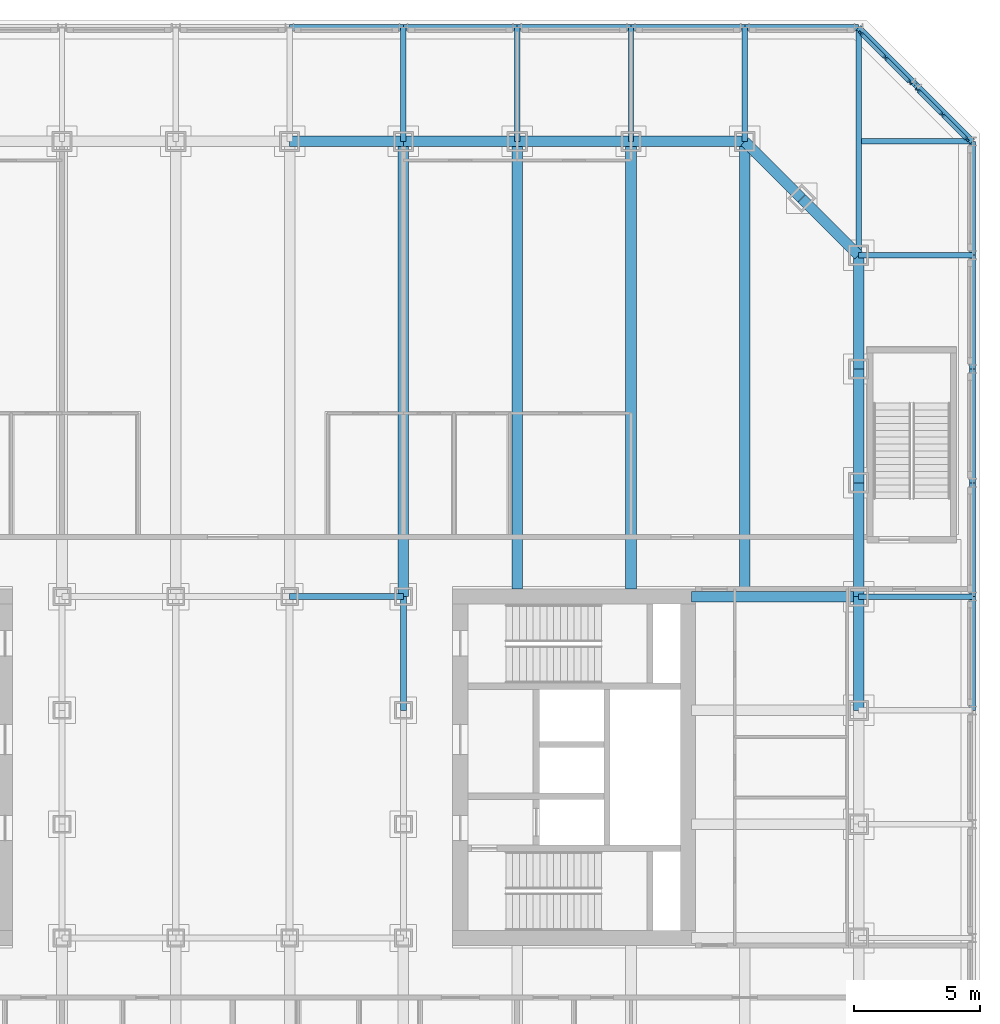
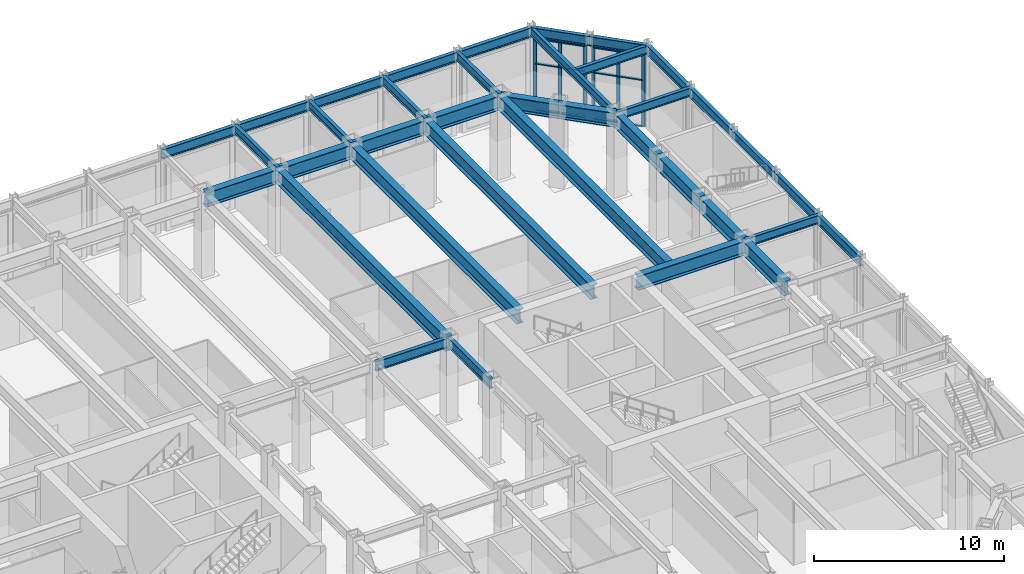
# One storey, part 8 of 19: 37 beams, 18 members, 2 elements without a shape of their own.
"""IFC4 building model written with IfcOpenShell, lengths in metres."""

from ifc_helpers import new_model, si_unit, direction, frame, origin, origin_2d, place, context, subcontext, project, spatial, rectangle, i_section, extrude, material, material_profile, profile_set, type_object, element, aggregate, save


model = new_model("IFC4")

# Units and contexts
model_context = context("Model", 3, precision=1e-05, world=origin(), true_north=direction((0.0, 1.0)))
body_context = subcontext(model_context, "Body", "Model", "MODEL_VIEW")
ifc_project = project(units=[si_unit("LENGTHUNIT", "METRE"), si_unit("AREAUNIT", "SQUARE_METRE"), si_unit("VOLUMEUNIT", "CUBIC_METRE"), si_unit("PLANEANGLEUNIT", "RADIAN"), si_unit("MASSUNIT", "GRAM", prefix="KILO")], contexts=[model_context])

# Site, building, storey
site_placement = place(None, origin())
site = spatial("IfcSite", under=ifc_project, at=site_placement, CompositionType="ELEMENT")
building_placement = place(site_placement, origin())
building = spatial("IfcBuilding", under=site, at=building_placement, Name="Msasa Ring Tower", CompositionType="ELEMENT")
storey_placement = place(building_placement, frame((0.0, 0.0, 16.0)))
storey = spatial("IfcBuildingStorey", under=building, at=storey_placement, Name="L03", CompositionType="ELEMENT", Elevation=16.0)

# Curtain wall, members
ifc_material_1 = material(Name="Aluminium curtain wall with clear glass", Category="aluminium")
curtain_wall_type = type_object("IfcCurtainWallType", Name="CW-K PODIUM CORNER CURTAIN WALL", PredefinedType="NOTDEFINED", material=ifc_material_1)
curtain_wall_1_placement = place(storey_placement, origin())
curtain_wall_1 = element("IfcCurtainWall", 1, at=curtain_wall_1_placement, inside=storey, type_object=curtain_wall_type, Name="Podium corner curtain wall NE L03", PredefinedType="NOTDEFINED")
ifc_material_2 = material(Name="Aluminium mullion", Category="aluminium")
ifc_material_profile_1 = material_profile(ifc_material_2, rectangle(XDim=0.070068359375, YDim=0.199951171875, at=origin_2d()), Name="AL 70x200")
ifc_profile_set_1 = profile_set([ifc_material_profile_1], Name="Aluminium mullion")
member_type_1 = type_object("IfcMemberType", Name="CW-K MULLION 70x200", PredefinedType="MULLION", material=ifc_profile_set_1)
member_1_placement = place(storey_placement, frame((26.77197265625, 27.086669921875, 0.0), z_axis=(0.0, 0.0, 1.0), x_axis=(-0.707106781187, -0.707106781187, 0.0)))
member_1 = element("IfcMember", 2, at=member_1_placement, type_object=member_type_1, Name="CW-K mullion 1", PredefinedType="MULLION", context=body_context, shape_type="SweptSolid", body=[
    extrude(rectangle(XDim=0.070068359375, YDim=0.199951171875, at=origin_2d()), origin(), (0.0, 0.0, 1.0), 4.6328125),
])
member_2_placement = place(storey_placement, frame((25.80419921875, 28.05419921875, 0.0), z_axis=(0.0, 0.0, 1.0), x_axis=(-0.707106781187, -0.707106781187, 0.0)))
member_2 = element("IfcMember", 3, at=member_2_placement, type_object=member_type_1, Name="CW-K mullion 2", PredefinedType="MULLION", context=body_context, shape_type="SweptSolid", body=[
    extrude(rectangle(XDim=0.070068359375, YDim=0.199951171875, at=origin_2d()), origin(), (0.0, 0.0, 1.0), 4.6328125),
])
member_3_placement = place(storey_placement, frame((24.836669921875, 29.02197265625, 0.0), z_axis=(0.0, 0.0, 1.0), x_axis=(-0.707106781187, -0.707106781187, 0.0)))
member_3 = element("IfcMember", 4, at=member_3_placement, type_object=member_type_1, Name="CW-K mullion 3", PredefinedType="MULLION", context=body_context, shape_type="SweptSolid", body=[
    extrude(rectangle(XDim=0.070068359375, YDim=0.199951171875, at=origin_2d()), origin(), (0.0, 0.0, 1.0), 4.6328125),
])

curtain_wall_2_placement = place(storey_placement, origin())
curtain_wall_2 = element("IfcCurtainWall", 5, at=curtain_wall_2_placement, inside=storey, type_object=curtain_wall_type, Name="Podium corner curtain wall NE L03", PredefinedType="NOTDEFINED")
member_4_placement = place(storey_placement, frame((29.02197265625, 24.836669921875, 0.0), z_axis=(0.0, 0.0, 1.0), x_axis=(-0.707106781187, -0.707106781187, 0.0)))
member_4 = element("IfcMember", 6, at=member_4_placement, type_object=member_type_1, Name="CW-K mullion 1", PredefinedType="MULLION", context=body_context, shape_type="SweptSolid", body=[
    extrude(rectangle(XDim=0.070068359375, YDim=0.199951171875, at=origin_2d()), origin(), (0.0, 0.0, 1.0), 4.6328125),
])
member_5_placement = place(storey_placement, frame((28.05419921875, 25.80419921875, 0.0), z_axis=(0.0, 0.0, 1.0), x_axis=(-0.707106781187, -0.707106781187, 0.0)))
member_5 = element("IfcMember", 7, at=member_5_placement, type_object=member_type_1, Name="CW-K mullion 2", PredefinedType="MULLION", context=body_context, shape_type="SweptSolid", body=[
    extrude(rectangle(XDim=0.070068359375, YDim=0.199951171875, at=origin_2d()), origin(), (0.0, 0.0, 1.0), 4.6328125),
])
member_6_placement = place(storey_placement, frame((27.086669921875, 26.77197265625, 0.0), z_axis=(0.0, 0.0, 1.0), x_axis=(-0.707106781187, -0.707106781187, 0.0)))
member_6 = element("IfcMember", 8, at=member_6_placement, type_object=member_type_1, Name="CW-K mullion 3", PredefinedType="MULLION", context=body_context, shape_type="SweptSolid", body=[
    extrude(rectangle(XDim=0.070068359375, YDim=0.199951171875, at=origin_2d()), origin(), (0.0, 0.0, 1.0), 4.6328125),
])

# Member
ifc_material_3 = material(Name="Aluminium transom", Category="aluminium")
ifc_material_profile_2 = material_profile(ifc_material_3, rectangle(XDim=0.14990234375, YDim=0.070068359375, at=origin_2d()), Name="AL 70x150")
ifc_profile_set_2 = profile_set([ifc_material_profile_2], Name="Aluminium transom")
member_type_2 = type_object("IfcMemberType", Name="CW-K TRANSOM 70x150", PredefinedType="USERDEFINED", material=ifc_profile_set_2)
member_7_placement = place(storey_placement, frame((26.7470703125, 27.111572265625, 0.034912109375), z_axis=(-0.707106781187, 0.707106781187, 0.0), x_axis=(-0.707106781187, -0.707106781187, 0.0)))
member_7 = element("IfcMember", 9, at=member_7_placement, type_object=member_type_2, Name="CW-K transom 1.1", ObjectType="TRANSOM", PredefinedType="USERDEFINED", context=body_context, shape_type="SweptSolid", body=[
    extrude(rectangle(XDim=0.14990234375, YDim=0.070068359375, at=origin_2d()), origin(), (0.0, 0.0, 1.0), 1.298095703125),
])

member_8_placement = place(storey_placement, frame((26.7470703125, 27.111572265625, 3.0), z_axis=(-0.707106781187, 0.707106781187, 0.0), x_axis=(-0.707106781187, -0.707106781187, 0.0)))
member_8 = element("IfcMember", 10, at=member_8_placement, type_object=member_type_2, Name="CW-K transom 1.2", ObjectType="TRANSOM", PredefinedType="USERDEFINED", context=body_context, shape_type="SweptSolid", body=[
    extrude(rectangle(XDim=0.14990234375, YDim=0.070068359375, at=origin_2d()), origin(), (0.0, 0.0, 1.0), 1.298095703125),
])

member_9_placement = place(storey_placement, frame((26.7470703125, 27.111572265625, 4.597900390625), z_axis=(-0.707106781187, 0.707106781187, 0.0), x_axis=(-0.707106781187, -0.707106781187, 0.0)))
member_9 = element("IfcMember", 11, at=member_9_placement, type_object=member_type_2, Name="CW-K transom 1.3", ObjectType="TRANSOM", PredefinedType="USERDEFINED", context=body_context, shape_type="SweptSolid", body=[
    extrude(rectangle(XDim=0.14990234375, YDim=0.070068359375, at=origin_2d()), origin(), (0.0, 0.0, 1.0), 1.298095703125),
])

member_10_placement = place(storey_placement, frame((25.779541015625, 28.0791015625, 0.034912109375), z_axis=(-0.707106781187, 0.707106781187, 0.0), x_axis=(-0.707106781187, -0.707106781187, 0.0)))
member_10 = element("IfcMember", 12, at=member_10_placement, type_object=member_type_2, Name="CW-K transom 2.1", ObjectType="TRANSOM", PredefinedType="USERDEFINED", context=body_context, shape_type="SweptSolid", body=[
    extrude(rectangle(XDim=0.14990234375, YDim=0.070068359375, at=origin_2d()), origin(), (0.0, 0.0, 1.0), 1.298095703125),
])

member_11_placement = place(storey_placement, frame((25.779541015625, 28.0791015625, 3.0), z_axis=(-0.707106781187, 0.707106781187, 0.0), x_axis=(-0.707106781187, -0.707106781187, 0.0)))
member_11 = element("IfcMember", 13, at=member_11_placement, type_object=member_type_2, Name="CW-K transom 2.2", ObjectType="TRANSOM", PredefinedType="USERDEFINED", context=body_context, shape_type="SweptSolid", body=[
    extrude(rectangle(XDim=0.14990234375, YDim=0.070068359375, at=origin_2d()), origin(), (0.0, 0.0, 1.0), 1.298095703125),
])

member_12_placement = place(storey_placement, frame((25.779541015625, 28.0791015625, 4.597900390625), z_axis=(-0.707106781187, 0.707106781187, 0.0), x_axis=(-0.707106781187, -0.707106781187, 0.0)))
member_12 = element("IfcMember", 14, at=member_12_placement, type_object=member_type_2, Name="CW-K transom 2.3", ObjectType="TRANSOM", PredefinedType="USERDEFINED", context=body_context, shape_type="SweptSolid", body=[
    extrude(rectangle(XDim=0.14990234375, YDim=0.070068359375, at=origin_2d()), origin(), (0.0, 0.0, 1.0), 1.298095703125),
])

aggregate(curtain_wall_1, [member_1, member_2, member_3, member_7, member_8, member_9, member_10, member_11, member_12])

member_13_placement = place(storey_placement, frame((28.9970703125, 24.861572265625, 0.034912109375), z_axis=(-0.707106781187, 0.707106781187, 0.0), x_axis=(-0.707106781187, -0.707106781187, 0.0)))
member_13 = element("IfcMember", 15, at=member_13_placement, type_object=member_type_2, Name="CW-K transom 1.1", ObjectType="TRANSOM", PredefinedType="USERDEFINED", context=body_context, shape_type="SweptSolid", body=[
    extrude(rectangle(XDim=0.14990234375, YDim=0.070068359375, at=origin_2d()), origin(), (0.0, 0.0, 1.0), 1.298095703125),
])

member_14_placement = place(storey_placement, frame((28.9970703125, 24.861572265625, 3.0), z_axis=(-0.707106781187, 0.707106781187, 0.0), x_axis=(-0.707106781187, -0.707106781187, 0.0)))
member_14 = element("IfcMember", 16, at=member_14_placement, type_object=member_type_2, Name="CW-K transom 1.2", ObjectType="TRANSOM", PredefinedType="USERDEFINED", context=body_context, shape_type="SweptSolid", body=[
    extrude(rectangle(XDim=0.14990234375, YDim=0.070068359375, at=origin_2d()), origin(), (0.0, 0.0, 1.0), 1.298095703125),
])

member_15_placement = place(storey_placement, frame((28.9970703125, 24.861572265625, 4.597900390625), z_axis=(-0.707106781187, 0.707106781187, 0.0), x_axis=(-0.707106781187, -0.707106781187, 0.0)))
member_15 = element("IfcMember", 17, at=member_15_placement, type_object=member_type_2, Name="CW-K transom 1.3", ObjectType="TRANSOM", PredefinedType="USERDEFINED", context=body_context, shape_type="SweptSolid", body=[
    extrude(rectangle(XDim=0.14990234375, YDim=0.070068359375, at=origin_2d()), origin(), (0.0, 0.0, 1.0), 1.298095703125),
])

member_16_placement = place(storey_placement, frame((28.029541015625, 25.8291015625, 0.034912109375), z_axis=(-0.707106781187, 0.707106781187, 0.0), x_axis=(-0.707106781187, -0.707106781187, 0.0)))
member_16 = element("IfcMember", 18, at=member_16_placement, type_object=member_type_2, Name="CW-K transom 2.1", ObjectType="TRANSOM", PredefinedType="USERDEFINED", context=body_context, shape_type="SweptSolid", body=[
    extrude(rectangle(XDim=0.14990234375, YDim=0.070068359375, at=origin_2d()), origin(), (0.0, 0.0, 1.0), 1.298095703125),
])

member_17_placement = place(storey_placement, frame((28.029541015625, 25.8291015625, 3.0), z_axis=(-0.707106781187, 0.707106781187, 0.0), x_axis=(-0.707106781187, -0.707106781187, 0.0)))
member_17 = element("IfcMember", 19, at=member_17_placement, type_object=member_type_2, Name="CW-K transom 2.2", ObjectType="TRANSOM", PredefinedType="USERDEFINED", context=body_context, shape_type="SweptSolid", body=[
    extrude(rectangle(XDim=0.14990234375, YDim=0.070068359375, at=origin_2d()), origin(), (0.0, 0.0, 1.0), 1.298095703125),
])

member_18_placement = place(storey_placement, frame((28.029541015625, 25.8291015625, 4.597900390625), z_axis=(-0.707106781187, 0.707106781187, 0.0), x_axis=(-0.707106781187, -0.707106781187, 0.0)))
member_18 = element("IfcMember", 20, at=member_18_placement, type_object=member_type_2, Name="CW-K transom 2.3", ObjectType="TRANSOM", PredefinedType="USERDEFINED", context=body_context, shape_type="SweptSolid", body=[
    extrude(rectangle(XDim=0.14990234375, YDim=0.070068359375, at=origin_2d()), origin(), (0.0, 0.0, 1.0), 1.298095703125),
])

aggregate(curtain_wall_2, [member_4, member_5, member_6, member_13, member_14, member_15, member_16, member_17, member_18])

# Beams
ifc_material_4 = material(Name="Steel S355", Category="steel")
ifc_material_profile_3 = material_profile(ifc_material_4, i_section(OverallWidth=0.41845703125, OverallDepth=0.911865234375, WebThickness=0.019287109375, FlangeThickness=0.031982421875, FilletRadius=0.024169921875, at=origin_2d()), Name="UB 914x419x343")
ifc_profile_set_3 = profile_set([ifc_material_profile_3], Name="Steel S355")
beam_type_1 = type_object("IfcBeamType", Name="FB1 UB 914x419x343", PredefinedType="BEAM", material=ifc_profile_set_3)
beam_1_placement = place(storey_placement, frame((6.75, 24.75, 4.794189453125), z_axis=(0.0, -1.0, 0.0), x_axis=(1.0, 0.0, 0.0)))
element("IfcBeam", 21, at=beam_1_placement, inside=storey, type_object=beam_type_1, Name="Floor beam N+6.75 under L04", PredefinedType="BEAM", context=body_context, shape_type="SweptSolid", body=[
    extrude(i_section(OverallWidth=0.41845703125, OverallDepth=0.911865234375, WebThickness=0.019287109375, FlangeThickness=0.031982421875, FilletRadius=0.024169921875, at=origin_2d()), origin(), (0.0, 0.0, 1.0), 18.0),
])
for number, where, z_axis, x_axis, name in (
    (22, (11.25, 24.75, 4.794189453125), (0.0, -1.0, 0.0), (1.0, 0.0, 0.0), "Floor beam N+11.25 under L04"),
    (23, (15.75, 24.75, 4.794189453125), (0.0, -1.0, 0.0), (1.0, 0.0, 0.0), "Floor beam N+15.75 under L04"),
):
    element("IfcBeam", number, at=place(storey_placement, frame(where, z_axis=z_axis, x_axis=x_axis)), inside=storey, type_object=beam_type_1, Name=name, PredefinedType="BEAM", context=body_context, shape_type="SweptSolid", body=[
        extrude(i_section(OverallWidth=0.41845703125, OverallDepth=0.911865234375, WebThickness=0.019287109375, FlangeThickness=0.031982421875, FilletRadius=0.024169921875, at=origin_2d()), origin(), (0.0, 0.0, 1.0), 17.699951171875),
    ])
beam_2_placement = place(storey_placement, frame((20.25, 24.75, 4.794189453125), z_axis=(0.0, -1.0, 0.0), x_axis=(1.0, 0.0, 0.0)))
element("IfcBeam", 24, at=beam_2_placement, inside=storey, type_object=beam_type_1, Name="Floor beam N+20.25 under L04", PredefinedType="BEAM", context=body_context, shape_type="SweptSolid", body=[
    extrude(i_section(OverallWidth=0.41845703125, OverallDepth=0.911865234375, WebThickness=0.019287109375, FlangeThickness=0.031982421875, FilletRadius=0.024169921875, at=origin_2d()), origin(), (0.0, 0.0, 1.0), 17.789794921875),
])
ifc_material_5 = material(Name="Steel S355", Category="steel")
ifc_material_profile_4 = material_profile(ifc_material_5, i_section(OverallWidth=0.42041015625, OverallDepth=0.9208984375, WebThickness=0.021484375, FlangeThickness=0.03662109375, FilletRadius=0.024169921875, at=origin_2d()), Name="UB 914x419x388")
ifc_profile_set_4 = profile_set([ifc_material_profile_4], Name="Steel S355")
beam_type_2 = type_object("IfcBeamType", Name="GB1 UB 914x419x388", PredefinedType="BEAM", material=ifc_profile_set_4)
beam_3_placement = place(storey_placement, frame((18.14990234375, 6.75, 4.78955078125), z_axis=(1.0, 0.0, 0.0), x_axis=(0.0, 1.0, 0.0)))
element("IfcBeam", 25, at=beam_3_placement, inside=storey, type_object=beam_type_2, Name="Girder E +6.75 under L04", PredefinedType="BEAM", context=body_context, shape_type="SweptSolid", body=[
    extrude(i_section(OverallWidth=0.42041015625, OverallDepth=0.9208984375, WebThickness=0.021484375, FlangeThickness=0.03662109375, FilletRadius=0.024169921875, at=origin_2d()), origin(), (0.0, 0.0, 1.0), 6.60009765625),
])
ifc_material_6 = material(Name="Steel S355", Category="steel")
ifc_material_profile_5 = material_profile(ifc_material_6, i_section(OverallWidth=0.2119140625, OverallDepth=0.54443359375, WebThickness=0.0126953125, FlangeThickness=0.021240234375, FilletRadius=0.0126953125, at=origin_2d()), Name="UB 533x210x122")
ifc_profile_set_5 = profile_set([ifc_material_profile_5], Name="Steel S355")
beam_type_3 = type_object("IfcBeamType", Name="PB1 UB 533x210x122", PredefinedType="BEAM", material=ifc_profile_set_5)
for number, where, z_axis, x_axis, name in (
    (26, (6.75, 29.25, 4.977783203125), (0.0, -1.0, 0.0), (1.0, 0.0, 0.0), "Podium beam N+6.75 under L04"),
    (27, (29.25, 6.75, 4.977783203125), (-1.0, 0.0, 0.0), (0.0, -1.0, 0.0), "Podium beam E+6.75 under L04"),
    (28, (11.25, 29.25, 4.977783203125), (0.0, -1.0, 0.0), (1.0, 0.0, 0.0), "Podium beam N+11.25 under L04"),
    (29, (15.75, 29.25, 4.977783203125), (0.0, -1.0, 0.0), (1.0, 0.0, 0.0), "Podium beam N+15.75 under L04"),
    (30, (20.25, 29.25, 4.977783203125), (0.0, -1.0, 0.0), (1.0, 0.0, 0.0), "Podium beam N+20.25 under L04"),
    (31, (29.25, 20.25, 4.977783203125), (-1.0, 0.0, 0.0), (0.0, -1.0, 0.0), "Podium beam E+20.25 under L04"),
):
    element("IfcBeam", number, at=place(storey_placement, frame(where, z_axis=z_axis, x_axis=x_axis)), inside=storey, type_object=beam_type_3, Name=name, PredefinedType="BEAM", context=body_context, shape_type="SweptSolid", body=[
        extrude(i_section(OverallWidth=0.2119140625, OverallDepth=0.54443359375, WebThickness=0.0126953125, FlangeThickness=0.021240234375, FilletRadius=0.0126953125, at=origin_2d()), origin(), (0.0, 0.0, 1.0), 4.5),
    ])
beam_4_placement = place(storey_placement, frame((24.75, 29.25, 4.977783203125), z_axis=(0.0, -1.0, 0.0), x_axis=(1.0, 0.0, 0.0)))
element("IfcBeam", 32, at=beam_4_placement, inside=storey, type_object=beam_type_3, Name="Podium beam N+24.75 under L04", PredefinedType="BEAM", context=body_context, shape_type="SweptSolid", body=[
    extrude(i_section(OverallWidth=0.2119140625, OverallDepth=0.54443359375, WebThickness=0.0126953125, FlangeThickness=0.021240234375, FilletRadius=0.0126953125, at=origin_2d()), origin(), (0.0, 0.0, 1.0), 9.0),
])
beam_5_placement = place(storey_placement, frame((29.25, 24.75, 4.977783203125), z_axis=(-1.0, 0.0, 0.0), x_axis=(0.0, -1.0, 0.0)))
element("IfcBeam", 33, at=beam_5_placement, inside=storey, type_object=beam_type_3, Name="Podium beam E+24.75 under L04", PredefinedType="BEAM", context=body_context, shape_type="SweptSolid", body=[
    extrude(i_section(OverallWidth=0.2119140625, OverallDepth=0.54443359375, WebThickness=0.0126953125, FlangeThickness=0.021240234375, FilletRadius=0.0126953125, at=origin_2d()), origin(), (0.0, 0.0, 1.0), 4.39404296875),
])
ifc_material_7 = material(Name="Steel S355", Category="steel")
ifc_material_profile_6 = material_profile(ifc_material_7, i_section(OverallWidth=0.230224609375, OverallDepth=0.6171875, WebThickness=0.01318359375, FlangeThickness=0.022216796875, FilletRadius=0.0126953125, at=origin_2d()), Name="UB 610x229x140")
ifc_profile_set_6 = profile_set([ifc_material_profile_6], Name="Steel S355")
beam_type_4 = type_object("IfcBeamType", Name="RB1 UB 610x229x140", PredefinedType="BEAM", material=ifc_profile_set_6)
for number, where, z_axis, x_axis, name in (
    (34, (6.75, 2.25, 4.94140625), (0.0, 1.0, 0.0), (-1.0, 0.0, 0.0), "Inner ring beam IR+6.75+2.25 under L04"),
    (35, (6.75, 6.75, 4.94140625), (-1.0, 0.0, 0.0), (0.0, -1.0, 0.0), "Inner ring beam IR+6.75+6.75 under L04"),
):
    element("IfcBeam", number, at=place(storey_placement, frame(where, z_axis=z_axis, x_axis=x_axis)), inside=storey, type_object=beam_type_4, Name=name, PredefinedType="BEAM", context=body_context, shape_type="SweptSolid", body=[
        extrude(i_section(OverallWidth=0.230224609375, OverallDepth=0.6171875, WebThickness=0.01318359375, FlangeThickness=0.022216796875, FilletRadius=0.0126953125, at=origin_2d()), origin(), (0.0, 0.0, 1.0), 4.5),
    ])
ifc_material_8 = material(Name="Steel S355", Category="steel")
ifc_material_profile_7 = material_profile(ifc_material_8, i_section(OverallWidth=0.42041015625, OverallDepth=0.9208984375, WebThickness=0.021484375, FlangeThickness=0.03662109375, FilletRadius=0.024169921875, at=origin_2d()), Name="UB 914x419x388")
ifc_profile_set_7 = profile_set([ifc_material_profile_7], Name="Steel S355")
beam_type_5 = type_object("IfcBeamType", Name="SB1 UB 914x419x388", PredefinedType="SPANDREL", material=ifc_profile_set_7)
for number, where, z_axis, x_axis, name in (
    (36, (24.75, 2.25, 4.78955078125), (0.0, 1.0, 0.0), (-1.0, 0.0, 0.0), "Spandrel E+2.25 to E+6.75 under L04"),
    (37, (24.75, 6.75, 4.78955078125), (0.0, 1.0, 0.0), (-1.0, 0.0, 0.0), "Spandrel E+6.75 to E+11.25 under L04"),
    (38, (24.75, 11.25, 4.78955078125), (0.0, 1.0, 0.0), (-1.0, 0.0, 0.0), "Spandrel E+11.25 to E+15.75 under L04"),
    (39, (24.75, 15.75, 4.78955078125), (0.0, 1.0, 0.0), (-1.0, 0.0, 0.0), "Spandrel E+15.75 to E+20.25 under L04"),
):
    element("IfcBeam", number, at=place(storey_placement, frame(where, z_axis=z_axis, x_axis=x_axis)), inside=storey, type_object=beam_type_5, Name=name, PredefinedType="SPANDREL", context=body_context, shape_type="SweptSolid", body=[
        extrude(i_section(OverallWidth=0.42041015625, OverallDepth=0.9208984375, WebThickness=0.021484375, FlangeThickness=0.03662109375, FilletRadius=0.024169921875, at=origin_2d()), origin(), (0.0, 0.0, 1.0), 4.5),
    ])
for number, where, z_axis, x_axis, name in (
    (40, (24.75, 20.25, 4.78955078125), (-0.707106781187, 0.707106781187, 0.0), (-0.707106781187, -0.707106781187, 0.0), "Spandrel E+20.25 to NE under L04"),
    (41, (22.5, 22.5, 4.78955078125), (-0.707106781187, 0.707106781187, 0.0), (-0.707106781187, -0.707106781187, 0.0), "Spandrel NE to N+20.25 under L04"),
):
    element("IfcBeam", number, at=place(storey_placement, frame(where, z_axis=z_axis, x_axis=x_axis)), inside=storey, type_object=beam_type_5, Name=name, PredefinedType="SPANDREL", context=body_context, shape_type="SweptSolid", body=[
        extrude(i_section(OverallWidth=0.42041015625, OverallDepth=0.9208984375, WebThickness=0.021484375, FlangeThickness=0.03662109375, FilletRadius=0.024169921875, at=origin_2d()), origin(), (0.0, 0.0, 1.0), 3.181884765625),
    ])
for number, where, z_axis, x_axis, name in (
    (42, (20.25, 24.75, 4.78955078125), (-1.0, 0.0, 0.0), (0.0, -1.0, 0.0), "Spandrel N+20.25 to N+15.75 under L04"),
    (43, (15.75, 24.75, 4.78955078125), (-1.0, 0.0, 0.0), (0.0, -1.0, 0.0), "Spandrel N+15.75 to N+11.25 under L04"),
    (44, (11.25, 24.75, 4.78955078125), (-1.0, 0.0, 0.0), (0.0, -1.0, 0.0), "Spandrel N+11.25 to N+6.75 under L04"),
    (45, (6.75, 24.75, 4.78955078125), (-1.0, 0.0, 0.0), (0.0, -1.0, 0.0), "Spandrel N+6.75 to N+2.25 under L04"),
):
    element("IfcBeam", number, at=place(storey_placement, frame(where, z_axis=z_axis, x_axis=x_axis)), inside=storey, type_object=beam_type_5, Name=name, PredefinedType="SPANDREL", context=body_context, shape_type="SweptSolid", body=[
        extrude(i_section(OverallWidth=0.42041015625, OverallDepth=0.9208984375, WebThickness=0.021484375, FlangeThickness=0.03662109375, FilletRadius=0.024169921875, at=origin_2d()), origin(), (0.0, 0.0, 1.0), 4.5),
    ])
ifc_material_9 = material(Name="Steel S355", Category="steel")
ifc_material_profile_8 = material_profile(ifc_material_9, i_section(OverallWidth=0.230224609375, OverallDepth=0.6171875, WebThickness=0.01318359375, FlangeThickness=0.022216796875, FilletRadius=0.0126953125, at=origin_2d()), Name="UB 610x229x140")
ifc_profile_set_8 = profile_set([ifc_material_profile_8], Name="Steel S355")
beam_type_6 = type_object("IfcBeamType", Name="SB2 UB 610x229x140", PredefinedType="SPANDREL", material=ifc_profile_set_8)
for number, where, z_axis, x_axis, name in (
    (46, (29.25, 2.25, 4.94140625), (0.0, 1.0, 0.0), (-1.0, 0.0, 0.0), "Podium spandrel E+2.25 under L04"),
    (47, (29.25, 6.75, 4.94140625), (0.0, 1.0, 0.0), (-1.0, 0.0, 0.0), "Podium spandrel E+6.75 under L04"),
    (48, (29.25, 11.25, 4.94140625), (0.0, 1.0, 0.0), (-1.0, 0.0, 0.0), "Podium spandrel E+11.25 under L04"),
    (49, (29.25, 15.75, 4.94140625), (0.0, 1.0, 0.0), (-1.0, 0.0, 0.0), "Podium spandrel E+15.75 under L04"),
    (50, (29.25, 20.25, 4.94140625), (0.0, 1.0, 0.0), (-1.0, 0.0, 0.0), "Podium spandrel E+20.25 under L04"),
):
    element("IfcBeam", number, at=place(storey_placement, frame(where, z_axis=z_axis, x_axis=x_axis)), inside=storey, type_object=beam_type_6, Name=name, PredefinedType="SPANDREL", context=body_context, shape_type="SweptSolid", body=[
        extrude(i_section(OverallWidth=0.230224609375, OverallDepth=0.6171875, WebThickness=0.01318359375, FlangeThickness=0.022216796875, FilletRadius=0.0126953125, at=origin_2d()), origin(), (0.0, 0.0, 1.0), 4.5),
    ])
for number, where, z_axis, x_axis, name in (
    (51, (29.25, 24.75, 4.94140625), (-0.707106781187, 0.707106781187, 0.0), (-0.707106781187, -0.707106781187, 0.0), "Podium spandrel E+24.75 under L04"),
    (52, (27.0, 27.0, 4.94140625), (-0.707106781187, 0.707106781187, 0.0), (-0.707106781187, -0.707106781187, 0.0), "Podium spandrel NE under L04"),
):
    element("IfcBeam", number, at=place(storey_placement, frame(where, z_axis=z_axis, x_axis=x_axis)), inside=storey, type_object=beam_type_6, Name=name, PredefinedType="SPANDREL", context=body_context, shape_type="SweptSolid", body=[
        extrude(i_section(OverallWidth=0.230224609375, OverallDepth=0.6171875, WebThickness=0.01318359375, FlangeThickness=0.022216796875, FilletRadius=0.0126953125, at=origin_2d()), origin(), (0.0, 0.0, 1.0), 3.181884765625),
    ])
for number, where, z_axis, x_axis, name in (
    (53, (24.75, 29.25, 4.94140625), (-1.0, 0.0, 0.0), (0.0, -1.0, 0.0), "Podium spandrel N+24.75 under L04"),
    (54, (20.25, 29.25, 4.94140625), (-1.0, 0.0, 0.0), (0.0, -1.0, 0.0), "Podium spandrel N+20.25 under L04"),
    (55, (15.75, 29.25, 4.94140625), (-1.0, 0.0, 0.0), (0.0, -1.0, 0.0), "Podium spandrel N+15.75 under L04"),
    (56, (11.25, 29.25, 4.94140625), (-1.0, 0.0, 0.0), (0.0, -1.0, 0.0), "Podium spandrel N+11.25 under L04"),
    (57, (6.75, 29.25, 4.94140625), (-1.0, 0.0, 0.0), (0.0, -1.0, 0.0), "Podium spandrel N+6.75 under L04"),
):
    element("IfcBeam", number, at=place(storey_placement, frame(where, z_axis=z_axis, x_axis=x_axis)), inside=storey, type_object=beam_type_6, Name=name, PredefinedType="SPANDREL", context=body_context, shape_type="SweptSolid", body=[
        extrude(i_section(OverallWidth=0.230224609375, OverallDepth=0.6171875, WebThickness=0.01318359375, FlangeThickness=0.022216796875, FilletRadius=0.0126953125, at=origin_2d()), origin(), (0.0, 0.0, 1.0), 4.5),
    ])

save(model, "model.ifc")
